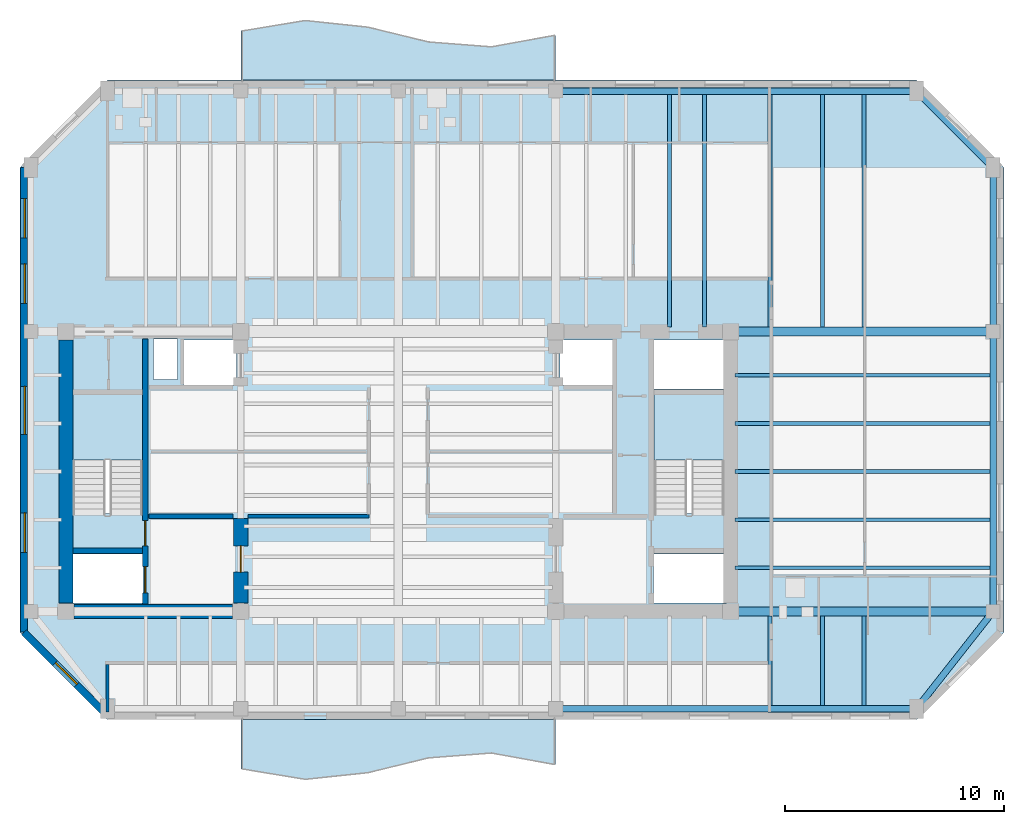
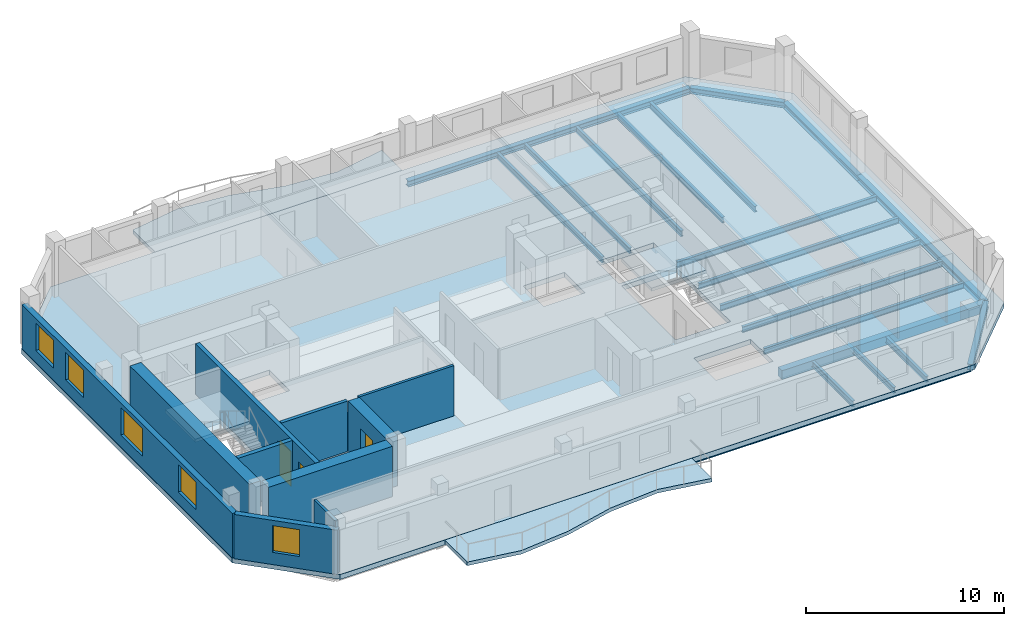
# One storey, part 2 of 9: 21 beams, 10 walls, 5 slabs, 5 windows, 3 doors, 8 openings, 2 elements without a shape of their own.
"""IFC4 building model written with IfcOpenShell, lengths in metres."""

from ifc_helpers import new_model, si_unit, direction, frame, frame_2d, origin, origin_2d, place, context, subcontext, project, spatial, polyline, rectangle, i_section, outline, extrude, material, layer, layer_set, material_profile, profile_set, type_object, element, fill, aggregate, save


model = new_model("IFC4")

# Units and contexts
model_context = context("Model", 3, precision=1e-05, world=origin(), true_north=direction((0.0, 1.0)))
body_context = subcontext(model_context, "Body", "Model", "MODEL_VIEW")
ifc_project = project(units=[si_unit("LENGTHUNIT", "METRE"), si_unit("AREAUNIT", "SQUARE_METRE"), si_unit("VOLUMEUNIT", "CUBIC_METRE"), si_unit("PLANEANGLEUNIT", "RADIAN"), si_unit("MASSUNIT", "GRAM", prefix="KILO")], contexts=[model_context])

# Site, building, storey
site_placement = place(None, origin())
site = spatial("IfcSite", under=ifc_project, at=site_placement, CompositionType="ELEMENT")
building_placement = place(site_placement, origin())
building = spatial("IfcBuilding", under=site, at=building_placement, Name="Kranthara Brick Stack", CompositionType="ELEMENT")
storey_placement = place(building_placement, frame((0.0, 0.0, 251.699951171875)))
storey = spatial("IfcBuildingStorey", under=building, at=storey_placement, Name="L66", CompositionType="ELEMENT", Elevation=251.699951171875)

# Beams
ifc_material_1 = material(Name="Post-tensioned concrete C45/55", Category="concrete")
ifc_material_profile_1 = material_profile(ifc_material_1, rectangle(XDim=0.39990234375, YDim=0.550048828125, at=origin_2d()), Name="PT 400x550")
ifc_profile_set_1 = profile_set([ifc_material_profile_1], Name="Post-tensioned concrete C45/55")
beam_type_1 = type_object("IfcBeamType", Name="BM-FLR-PT550", PredefinedType="BEAM", material=ifc_profile_set_1)
for number, where, z_axis, x_axis, name in (
    (1, (43.199951171875, 20.800048828125, -0.574951171875), (1.0, 0.0, 0.0), (0.0, 1.0, 0.0), "L66 Primary Grid Girder 029"),
    (2, (43.199951171875, 33.60009765625, -0.574951171875), (1.0, 0.0, 0.0), (0.0, 1.0, 0.0), "L66 Primary Grid Girder 031"),
):
    element("IfcBeam", number, at=place(storey_placement, frame(where, z_axis=z_axis, x_axis=x_axis)), inside=storey, type_object=beam_type_1, Name=name, PredefinedType="BEAM", context=body_context, shape_type="SweptSolid", body=[
        extrude(rectangle(XDim=0.39990234375, YDim=0.550048828125, at=origin_2d()), origin(), (0.0, 0.0, 1.0), 12.0),
    ])
ifc_material_2 = material(Name="Steel S355", Category="steel")
ifc_material_profile_2 = material_profile(ifc_material_2, i_section(OverallWidth=0.169921875, OverallDepth=0.360107421875, WebThickness=0.008056640625, FlangeThickness=0.0126953125, at=origin_2d()), Name="IPE 360")
ifc_profile_set_2 = profile_set([ifc_material_profile_2], Name="Steel S355")
beam_type_2 = type_object("IfcBeamType", Name="BM-JST-IPE360", PredefinedType="JOIST", material=ifc_profile_set_2)
for number, where, z_axis, x_axis, name in (
    (3, (40.39990234375, 33.800048828125, -0.47998046875), (0.0, 1.0, 0.0), (-1.0, 0.0, 0.0), "L66 North Wing Floor Joist 073"),
    (4, (42.0, 33.800048828125, -0.47998046875), (0.0, 1.0, 0.0), (-1.0, 0.0, 0.0), "L66 North Wing Floor Joist 075"),
):
    element("IfcBeam", number, at=place(storey_placement, frame(where, z_axis=z_axis, x_axis=x_axis)), inside=storey, type_object=beam_type_2, Name=name, PredefinedType="JOIST", context=body_context, shape_type="SweptSolid", body=[
        extrude(i_section(OverallWidth=0.169921875, OverallDepth=0.360107421875, WebThickness=0.008056640625, FlangeThickness=0.0126953125, at=origin_2d()), origin(), (0.0, 0.0, 1.0), 10.64990234375),
    ])
beam_1_placement = place(storey_placement, frame((45.0, 16.5, -0.47998046875), z_axis=(0.0, 1.0, 0.0), x_axis=(-1.0, 0.0, 0.0)))
element("IfcBeam", 5, at=beam_1_placement, inside=storey, type_object=beam_type_2, Name="L66 South Wing Floor Joist 076", PredefinedType="JOIST", context=body_context, shape_type="SweptSolid", body=[
    extrude(i_section(OverallWidth=0.169921875, OverallDepth=0.360107421875, WebThickness=0.008056640625, FlangeThickness=0.0126953125, at=origin_2d()), origin(), (0.0, 0.0, 1.0), 4.10009765625),
])
beam_2_placement = place(storey_placement, frame((45.0, 33.800048828125, -0.47998046875), z_axis=(0.0, 1.0, 0.0), x_axis=(-1.0, 0.0, 0.0)))
element("IfcBeam", 6, at=beam_2_placement, inside=storey, type_object=beam_type_2, Name="L66 North Wing Floor Joist 077", PredefinedType="JOIST", context=body_context, shape_type="SweptSolid", body=[
    extrude(i_section(OverallWidth=0.169921875, OverallDepth=0.360107421875, WebThickness=0.008056640625, FlangeThickness=0.0126953125, at=origin_2d()), origin(), (0.0, 0.0, 1.0), 10.64990234375),
])
beam_3_placement = place(storey_placement, frame((47.39990234375, 16.5, -0.47998046875), z_axis=(0.0, 1.0, 0.0), x_axis=(-1.0, 0.0, 0.0)))
element("IfcBeam", 7, at=beam_3_placement, inside=storey, type_object=beam_type_2, Name="L66 South Wing Floor Joist 078", PredefinedType="JOIST", context=body_context, shape_type="SweptSolid", body=[
    extrude(i_section(OverallWidth=0.169921875, OverallDepth=0.360107421875, WebThickness=0.008056640625, FlangeThickness=0.0126953125, at=origin_2d()), origin(), (0.0, 0.0, 1.0), 4.10009765625),
])
beam_4_placement = place(storey_placement, frame((47.39990234375, 33.800048828125, -0.47998046875), z_axis=(0.0, 1.0, 0.0), x_axis=(-1.0, 0.0, 0.0)))
element("IfcBeam", 8, at=beam_4_placement, inside=storey, type_object=beam_type_2, Name="L66 North Wing Floor Joist 079", PredefinedType="JOIST", context=body_context, shape_type="SweptSolid", body=[
    extrude(i_section(OverallWidth=0.169921875, OverallDepth=0.360107421875, WebThickness=0.008056640625, FlangeThickness=0.0126953125, at=origin_2d()), origin(), (0.0, 0.0, 1.0), 10.64990234375),
])
beam_5_placement = place(storey_placement, frame((49.300048828125, 16.5, -0.47998046875), z_axis=(0.0, 1.0, 0.0), x_axis=(-1.0, 0.0, 0.0)))
element("IfcBeam", 9, at=beam_5_placement, inside=storey, type_object=beam_type_2, Name="L66 South Wing Floor Joist 080", PredefinedType="JOIST", context=body_context, shape_type="SweptSolid", body=[
    extrude(i_section(OverallWidth=0.169921875, OverallDepth=0.360107421875, WebThickness=0.008056640625, FlangeThickness=0.0126953125, at=origin_2d()), origin(), (0.0, 0.0, 1.0), 4.10009765625),
])
beam_6_placement = place(storey_placement, frame((49.300048828125, 33.800048828125, -0.47998046875), z_axis=(0.0, 1.0, 0.0), x_axis=(-1.0, 0.0, 0.0)))
element("IfcBeam", 10, at=beam_6_placement, inside=storey, type_object=beam_type_2, Name="L66 North Wing Floor Joist 081", PredefinedType="JOIST", context=body_context, shape_type="SweptSolid", body=[
    extrude(i_section(OverallWidth=0.169921875, OverallDepth=0.360107421875, WebThickness=0.008056640625, FlangeThickness=0.0126953125, at=origin_2d()), origin(), (0.0, 0.0, 1.0), 10.64990234375),
])
for number, where, z_axis, x_axis, name in (
    (11, (43.39990234375, 22.800048828125, -0.47998046875), (1.0, 0.0, 0.0), (0.0, 1.0, 0.0), "L66 East Wing Floor Joist 083"),
    (12, (43.39990234375, 25.0, -0.47998046875), (1.0, 0.0, 0.0), (0.0, 1.0, 0.0), "L66 East Wing Floor Joist 085"),
    (13, (43.39990234375, 27.199951171875, -0.47998046875), (1.0, 0.0, 0.0), (0.0, 1.0, 0.0), "L66 East Wing Floor Joist 087"),
    (14, (43.39990234375, 29.39990234375, -0.47998046875), (1.0, 0.0, 0.0), (0.0, 1.0, 0.0), "L66 East Wing Floor Joist 089"),
    (15, (43.39990234375, 31.60009765625, -0.47998046875), (1.0, 0.0, 0.0), (0.0, 1.0, 0.0), "L66 East Wing Floor Joist 091"),
):
    element("IfcBeam", number, at=place(storey_placement, frame(where, z_axis=z_axis, x_axis=x_axis)), inside=storey, type_object=beam_type_2, Name=name, PredefinedType="JOIST", context=body_context, shape_type="SweptSolid", body=[
        extrude(i_section(OverallWidth=0.169921875, OverallDepth=0.360107421875, WebThickness=0.008056640625, FlangeThickness=0.0126953125, at=origin_2d()), origin(), (0.0, 0.0, 1.0), 11.650146484375),
    ])
ifc_material_3 = material(Name="Steel S355", Category="steel")
ifc_material_profile_3 = material_profile(ifc_material_3, i_section(OverallWidth=0.300048828125, OverallDepth=0.360107421875, WebThickness=0.012451171875, FlangeThickness=0.0224609375, at=origin_2d()), Name="HEB 360")
ifc_profile_set_3 = profile_set([ifc_material_profile_3], Name="Steel S355")
beam_type_3 = type_object("IfcBeamType", Name="BM-STL-HEB360", PredefinedType="SPANDREL", material=ifc_profile_set_3)
for number, where, z_axis, x_axis, name in (
    (16, (35.199951171875, 16.35009765625, -0.47998046875), (1.0, 0.0, 0.0), (0.0, 1.0, 0.0), "L66 Perimeter Spandrel Beam 008"),
    (17, (35.199951171875, 44.60009765625, -0.47998046875), (1.0, 0.0, 0.0), (0.0, 1.0, 0.0), "L66 Perimeter Spandrel Beam 012"),
):
    element("IfcBeam", number, at=place(storey_placement, frame(where, z_axis=z_axis, x_axis=x_axis)), inside=storey, type_object=beam_type_3, Name=name, PredefinedType="SPANDREL", context=body_context, shape_type="SweptSolid", body=[
        extrude(i_section(OverallWidth=0.300048828125, OverallDepth=0.360107421875, WebThickness=0.012451171875, FlangeThickness=0.0224609375, at=origin_2d()), origin(), (0.0, 0.0, 1.0), 16.5),
    ])
beam_7_placement = place(storey_placement, frame((55.199951171875, 20.800048828125, -0.47998046875), z_axis=(0.0, 1.0, 0.0), x_axis=(-1.0, 0.0, 0.0)))
element("IfcBeam", 18, at=beam_7_placement, inside=storey, type_object=beam_type_3, Name="L66 Perimeter Spandrel Beam 015", PredefinedType="SPANDREL", context=body_context, shape_type="SweptSolid", body=[
    extrude(i_section(OverallWidth=0.300048828125, OverallDepth=0.360107421875, WebThickness=0.012451171875, FlangeThickness=0.0224609375, at=origin_2d()), origin(), (0.0, 0.0, 1.0), 12.800048828125),
])
beam_8_placement = place(storey_placement, frame((55.199951171875, 33.60009765625, -0.47998046875), z_axis=(0.0, 1.0, 0.0), x_axis=(-1.0, 0.0, 0.0)))
element("IfcBeam", 19, at=beam_8_placement, inside=storey, type_object=beam_type_3, Name="L66 Perimeter Spandrel Beam 016", PredefinedType="SPANDREL", context=body_context, shape_type="SweptSolid", body=[
    extrude(i_section(OverallWidth=0.300048828125, OverallDepth=0.360107421875, WebThickness=0.012451171875, FlangeThickness=0.0224609375, at=origin_2d()), origin(), (0.0, 0.0, 1.0), 7.5),
])
beam_9_placement = place(storey_placement, frame((51.699951171875, 16.35009765625, -0.47998046875), z_axis=(0.618215705636, 0.78600848679, 0.0), x_axis=(-0.78600848679, 0.618215705636, 0.0)))
element("IfcBeam", 20, at=beam_9_placement, inside=storey, type_object=beam_type_3, Name="L66 Chamfer Corner Spandrel 018", PredefinedType="SPANDREL", context=body_context, shape_type="SweptSolid", body=[
    extrude(i_section(OverallWidth=0.300048828125, OverallDepth=0.360107421875, WebThickness=0.012451171875, FlangeThickness=0.0224609375, at=origin_2d()), origin(), (0.0, 0.0, 1.0), 5.661376953125),
])
beam_10_placement = place(storey_placement, frame((51.699951171875, 44.60009765625, -0.47998046875), z_axis=(0.707106781187, -0.707106781187, 0.0), x_axis=(0.707106781187, 0.707106781187, 0.0)))
element("IfcBeam", 21, at=beam_10_placement, inside=storey, type_object=beam_type_3, Name="L66 Chamfer Corner Spandrel 020", PredefinedType="SPANDREL", context=body_context, shape_type="SweptSolid", body=[
    extrude(i_section(OverallWidth=0.300048828125, OverallDepth=0.360107421875, WebThickness=0.012451171875, FlangeThickness=0.0224609375, at=origin_2d()), origin(), (0.0, 0.0, 1.0), 4.94970703125),
])

# Slabs
ifc_material_4 = material(Name="Concrete C45/55", Category="concrete")
ifc_layer_1 = layer(ifc_material_4, 0.219970703125)
ifc_layer_set_1 = layer_set([ifc_layer_1], Name="Concrete C45/55")
slab_type_1 = type_object("IfcSlabType", Name="SLB-BALC-220", PredefinedType="FLOOR", material=ifc_layer_set_1)
slab_1_placement = place(storey_placement, frame((0.0, 0.0, -0.219970703125)))
element("IfcSlab", 22, at=slab_1_placement, inside=storey, type_object=slab_type_1, Name="L66 South Rippling Balcony Slab", PredefinedType="FLOOR", context=body_context, shape_type="SweptSolid", body=[
    extrude(outline(polyline([(20.800048828125, 15.85009765625), (35.199951171875, 15.85009765625), (35.199951171875, 13.800537109375), (32.320068359375, 14.3291015625), (29.43994140625, 14.097900390625), (26.56005859375, 13.397705078125), (23.679931640625, 13.109130859375), (20.800048828125, 13.594970703125), (20.800048828125, 15.85009765625)])), origin(), (0.0, 0.0, 1.0), 0.219970703125),
])
slab_2_placement = place(storey_placement, frame((0.0, 0.0, -0.219970703125)))
element("IfcSlab", 23, at=slab_2_placement, inside=storey, type_object=slab_type_1, Name="L66 North Rippling Balcony Slab", PredefinedType="FLOOR", context=body_context, shape_type="SweptSolid", body=[
    extrude(outline(polyline([(35.199951171875, 45.10009765625), (20.800048828125, 45.10009765625), (20.800048828125, 47.35498046875), (23.679931640625, 47.8408203125), (26.56005859375, 47.55224609375), (29.43994140625, 46.85205078125), (32.320068359375, 46.620849609375), (35.199951171875, 47.1494140625), (35.199951171875, 45.10009765625)])), origin(), (0.0, 0.0, 1.0), 0.219970703125),
])

# Stair, slab
ifc_material_5 = material(Name="Concrete C45/55", Category="concrete")
stair_type = type_object("IfcStairType", Name="ST-CORE-20R", PredefinedType="HALF_TURN_STAIR", material=ifc_material_5)
stair_1_placement = place(storey_placement, origin())
stair_1 = element("IfcStair", 24, at=stair_1_placement, inside=storey, type_object=stair_type, Name="L66 West Core Protected Exit Stair ST01", PredefinedType="HALF_TURN_STAIR")
ifc_material_6 = material(Name="Concrete C45/55", Category="concrete")
ifc_layer_2 = layer(ifc_material_6, 0.199951171875)
ifc_layer_set_2 = layer_set([ifc_layer_2], Name="Concrete C45/55")
slab_type_2 = type_object("IfcSlabType", Name="SLB-LANDING-200", PredefinedType="LANDING", material=ifc_layer_set_2)
slab_3_placement = place(storey_placement, frame((0.0, 0.0, 1.5)))
slab_3 = element("IfcSlab", 25, at=slab_3_placement, type_object=slab_type_2, Name="ST01 landing 1", PredefinedType="LANDING", context=body_context, shape_type="SweptSolid", body=[
    extrude(outline(polyline([(16.300048828125, 27.719970703125), (16.300048828125, 30.75), (13.10009765625, 30.75), (13.10009765625, 27.719970703125), (16.300048828125, 27.719970703125)])), origin(), (0.0, 0.0, 1.0), 0.199951171875),
])
aggregate(stair_1, [slab_3])

stair_2_placement = place(storey_placement, origin())
stair_2 = element("IfcStair", 26, at=stair_2_placement, inside=storey, type_object=stair_type, Name="L66 East Core Protected Exit Stair ST02", PredefinedType="HALF_TURN_STAIR")
slab_4_placement = place(storey_placement, frame((0.0, 0.0, 1.5)))
slab_4 = element("IfcSlab", 27, at=slab_4_placement, type_object=slab_type_2, Name="ST02 landing 1", PredefinedType="LANDING", context=body_context, shape_type="SweptSolid", body=[
    extrude(outline(polyline([(42.89990234375, 27.719970703125), (42.89990234375, 30.75), (39.699951171875, 30.75), (39.699951171875, 27.719970703125), (42.89990234375, 27.719970703125)])), origin(), (0.0, 0.0, 1.0), 0.199951171875),
])
aggregate(stair_2, [slab_4])

# Slab
ifc_material_7 = material(Name="Post-tensioned concrete C45/55", Category="concrete")
ifc_layer_3 = layer(ifc_material_7, 0.300048828125)
ifc_layer_set_3 = layer_set([ifc_layer_3], Name="Post-tensioned concrete C45/55")
slab_type_3 = type_object("IfcSlabType", Name="SLB-TWR-300", PredefinedType="FLOOR", material=ifc_layer_set_3)
slab_5_placement = place(storey_placement, frame((0.0, 0.0, -0.300048828125)))
element("IfcSlab", 28, at=slab_5_placement, inside=storey, type_object=slab_type_3, Name="L66 Structural Floor Plate", PredefinedType="FLOOR", context=body_context, shape_type="SweptSolid", body=[
    extrude(outline(polyline([(14.699951171875, 15.85009765625), (51.699951171875, 15.85009765625), (55.699951171875, 19.85009765625), (55.699951171875, 41.10009765625), (51.699951171875, 45.10009765625), (14.699951171875, 45.10009765625), (10.699951171875, 41.10009765625), (10.699951171875, 19.85009765625), (14.699951171875, 15.85009765625)]), holes=[polyline([(13.10009765625, 25.280029296875), (16.300048828125, 25.280029296875), (16.300048828125, 30.75), (13.10009765625, 30.75), (13.10009765625, 25.280029296875)]), polyline([(39.699951171875, 25.280029296875), (42.89990234375, 25.280029296875), (42.89990234375, 30.75), (39.699951171875, 30.75), (39.699951171875, 25.280029296875)]), polyline([(13.0, 21.179931640625), (16.320068359375, 21.179931640625), (16.320068359375, 23.419921875), (13.0, 23.419921875), (13.0, 21.179931640625)]), polyline([(39.679931640625, 21.179931640625), (43.0, 21.179931640625), (43.0, 23.419921875), (39.679931640625, 23.419921875), (39.679931640625, 21.179931640625)]), polyline([(39.679931640625, 30.97998046875), (43.0, 30.97998046875), (43.0, 33.219970703125), (39.679931640625, 33.219970703125), (39.679931640625, 30.97998046875)]), polyline([(18.199951171875, 31.14990234375), (20.60009765625, 31.14990234375), (20.60009765625, 33.219970703125), (18.199951171875, 33.219970703125), (18.199951171875, 31.14990234375)]), polyline([(35.39990234375, 31.14990234375), (37.800048828125, 31.14990234375), (37.800048828125, 33.219970703125), (35.39990234375, 33.219970703125), (35.39990234375, 31.14990234375)]), polyline([(16.800048828125, 31.39990234375), (17.89990234375, 31.39990234375), (17.89990234375, 33.25), (16.800048828125, 33.25), (16.800048828125, 31.39990234375)])]), origin(), (0.0, 0.0, 1.0), 0.300048828125),
])

# Wall, opening, window
ifc_material_8 = material(Name="Warm buff clay brick masonry M15", Category="masonry")
ifc_layer_4 = layer(ifc_material_8, 0.320068359375)
ifc_layer_set_4 = layer_set([ifc_layer_4], Name="Warm buff clay brick masonry M15")
wall_type_1 = type_object("IfcWallType", Name="WL-BRK-UPPR-320", PredefinedType="STANDARD", material=ifc_layer_set_4)
wall_1_placement = place(storey_placement, frame((14.699951171875, 16.030029296875, 0.0), z_axis=(0.0, 0.0, 1.0), x_axis=(-0.707106781187, 0.707106781187, 0.0)))
wall_1 = element("IfcWall", 29, at=wall_1_placement, inside=storey, type_object=wall_type_1, Name="L66 Exterior Brick Facade Wall SW 1", PredefinedType="STANDARD", context=body_context, shape_type="SweptSolid", body=[
    extrude(rectangle(XDim=5.40234375, YDim=0.320068359375, at=frame_2d((2.701171875, 0.0))), origin(), (0.0, 0.0, 1.0), 2.72509765625),
])
opening_1_placement = place(wall_1_placement, frame((2.0009765625, 0.0, 0.75)))
opening_1 = element("IfcOpeningElement", 30, at=opening_1_placement, cuts=wall_1, Name="Opening WN10", PredefinedType="OPENING", context=body_context, shape_type="SweptSolid", body=[
    extrude(rectangle(XDim=1.39990234375, YDim=1.64990234375, at=frame_2d((0.699951171875, 0.824951171875))), frame((0.0, 0.169921875, 0.0), z_axis=(0.0, -1.0, 0.0), x_axis=(1.0, 0.0, 0.0)), (0.0, 0.0, 1.0), 0.340087890625),
])
ifc_material_9 = material(Name="Double-glazed low-E solar control glass", Category="glass")
window_type_1 = type_object("IfcWindowType", Name="WN-CHM-1400x1750", PartitioningType="SINGLE_PANEL", PredefinedType="WINDOW", material=ifc_material_9)
window_1_placement = place(opening_1_placement, origin())
window_1 = element("IfcWindow", 31, at=window_1_placement, inside=storey, type_object=window_type_1, Name="L66 SW Chamfer Corner Window", OverallHeight=1.64990234375, OverallWidth=1.39990234375, PartitioningType="SINGLE_PANEL", PredefinedType="WINDOW", context=body_context, shape_type="SweptSolid", body=[
    extrude(rectangle(XDim=1.39990234375, YDim=1.64990234375, at=frame_2d((0.699951171875, 0.824951171875))), frame((0.0, -0.010009765625, 0.0), z_axis=(0.0, -1.0, 0.0), x_axis=(1.0, 0.0, 0.0)), (0.0, 0.0, 1.0), 0.06005859375),
])
fill(opening_1, window_1)

# Wall, openings, windows
wall_2_placement = place(storey_placement, frame((10.8798828125, 19.85009765625, 0.0), z_axis=(0.0, 0.0, 1.0), x_axis=(0.0, 1.0, 0.0)))
wall_2 = element("IfcWall", 32, at=wall_2_placement, inside=storey, type_object=wall_type_1, Name="L66 Exterior Brick Facade Wall WEST 1", PredefinedType="STANDARD", context=body_context, shape_type="SweptSolid", body=[
    extrude(rectangle(XDim=21.25, YDim=0.320068359375, at=frame_2d((10.625, 0.0))), origin(), (0.0, 0.0, 1.0), 2.72509765625),
])
opening_2_placement = place(wall_2_placement, frame((3.654052734375, 0.0, 0.75)))
opening_2 = element("IfcOpeningElement", 33, at=opening_2_placement, cuts=wall_2, Name="Opening WN07", PredefinedType="OPENING", context=body_context, shape_type="SweptSolid", body=[
    extrude(rectangle(XDim=1.800048828125, YDim=1.699951171875, at=frame_2d((0.89990234375, 0.85009765625))), frame((0.0, 0.169921875, 0.0), z_axis=(0.0, -1.0, 0.0), x_axis=(1.0, 0.0, 0.0)), (0.0, 0.0, 1.0), 0.340087890625),
])
opening_3_placement = place(wall_2_placement, frame((9.0458984375, 0.0, 0.75)))
opening_3 = element("IfcOpeningElement", 34, at=opening_3_placement, cuts=wall_2, Name="Opening WN08", PredefinedType="OPENING", context=body_context, shape_type="SweptSolid", body=[
    extrude(rectangle(XDim=2.199951171875, YDim=1.699951171875, at=frame_2d((1.10009765625, 0.85009765625))), frame((0.0, 0.169921875, 0.0), z_axis=(0.0, -1.0, 0.0), x_axis=(1.0, 0.0, 0.0)), (0.0, 0.0, 1.0), 0.340087890625),
])
opening_4_placement = place(wall_2_placement, frame((15.04296875, 0.0, 0.75)))
opening_4 = element("IfcOpeningElement", 35, at=opening_4_placement, cuts=wall_2, Name="Opening WN07", PredefinedType="OPENING", context=body_context, shape_type="SweptSolid", body=[
    extrude(rectangle(XDim=1.800048828125, YDim=1.699951171875, at=frame_2d((0.89990234375, 0.85009765625))), frame((0.0, 0.169921875, 0.0), z_axis=(0.0, -1.0, 0.0), x_axis=(1.0, 0.0, 0.0)), (0.0, 0.0, 1.0), 0.340087890625),
])
opening_5_placement = place(wall_2_placement, frame((18.031982421875, 0.0, 0.75)))
opening_5 = element("IfcOpeningElement", 36, at=opening_5_placement, cuts=wall_2, Name="Opening WN07", PredefinedType="OPENING", context=body_context, shape_type="SweptSolid", body=[
    extrude(rectangle(XDim=1.800048828125, YDim=1.699951171875, at=frame_2d((0.89990234375, 0.85009765625))), frame((0.0, 0.169921875, 0.0), z_axis=(0.0, -1.0, 0.0), x_axis=(1.0, 0.0, 0.0)), (0.0, 0.0, 1.0), 0.340087890625),
])
ifc_material_10 = material(Name="Double-glazed low-E solar control glass", Category="glass")
window_type_2 = type_object("IfcWindowType", Name="WN-RES-1800x1850", PartitioningType="DOUBLE_PANEL_VERTICAL", PredefinedType="WINDOW", material=ifc_material_10)
window_2_placement = place(opening_2_placement, origin())
window_2 = element("IfcWindow", 37, at=window_2_placement, inside=storey, type_object=window_type_2, Name="L66 West Deep-Set Brick Window 01", OverallHeight=1.699951171875, OverallWidth=1.800048828125, PartitioningType="SINGLE_PANEL", PredefinedType="WINDOW", context=body_context, shape_type="SweptSolid", body=[
    extrude(rectangle(XDim=1.800048828125, YDim=1.699951171875, at=frame_2d((0.89990234375, 0.85009765625))), frame((0.0, -0.010009765625, 0.0), z_axis=(0.0, -1.0, 0.0), x_axis=(1.0, 0.0, 0.0)), (0.0, 0.0, 1.0), 0.06005859375),
])
fill(opening_2, window_2)
window_3_placement = place(opening_4_placement, origin())
window_3 = element("IfcWindow", 38, at=window_3_placement, inside=storey, type_object=window_type_2, Name="L66 West Deep-Set Brick Window 03", OverallHeight=1.699951171875, OverallWidth=1.800048828125, PartitioningType="SINGLE_PANEL", PredefinedType="WINDOW", context=body_context, shape_type="SweptSolid", body=[
    extrude(rectangle(XDim=1.800048828125, YDim=1.699951171875, at=frame_2d((0.89990234375, 0.85009765625))), frame((0.0, -0.010009765625, 0.0), z_axis=(0.0, -1.0, 0.0), x_axis=(1.0, 0.0, 0.0)), (0.0, 0.0, 1.0), 0.06005859375),
])
fill(opening_4, window_3)
window_4_placement = place(opening_5_placement, origin())
window_4 = element("IfcWindow", 39, at=window_4_placement, inside=storey, type_object=window_type_2, Name="L66 West Deep-Set Brick Window 04", OverallHeight=1.699951171875, OverallWidth=1.800048828125, PartitioningType="SINGLE_PANEL", PredefinedType="WINDOW", context=body_context, shape_type="SweptSolid", body=[
    extrude(rectangle(XDim=1.800048828125, YDim=1.699951171875, at=frame_2d((0.89990234375, 0.85009765625))), frame((0.0, -0.010009765625, 0.0), z_axis=(0.0, -1.0, 0.0), x_axis=(1.0, 0.0, 0.0)), (0.0, 0.0, 1.0), 0.06005859375),
])
fill(opening_5, window_4)
ifc_material_11 = material(Name="Double-glazed low-E solar control glass", Category="glass")
window_type_3 = type_object("IfcWindowType", Name="WN-RES-2200x1850", PartitioningType="TRIPLE_PANEL_VERTICAL", PredefinedType="WINDOW", material=ifc_material_11)
window_5_placement = place(opening_3_placement, origin())
window_5 = element("IfcWindow", 40, at=window_5_placement, inside=storey, type_object=window_type_3, Name="L66 West Deep-Set Brick Window 02", OverallHeight=1.699951171875, OverallWidth=2.199951171875, PartitioningType="SINGLE_PANEL", PredefinedType="WINDOW", context=body_context, shape_type="SweptSolid", body=[
    extrude(rectangle(XDim=2.199951171875, YDim=1.699951171875, at=frame_2d((1.10009765625, 0.85009765625))), frame((0.0, -0.010009765625, 0.0), z_axis=(0.0, -1.0, 0.0), x_axis=(1.0, 0.0, 0.0)), (0.0, 0.0, 1.0), 0.06005859375),
])
fill(opening_3, window_5)

# Wall, openings, doors
ifc_material_12 = material(Name="Concrete C50/60", Category="concrete")
ifc_layer_5 = layer(ifc_material_12, 0.25)
ifc_layer_set_5 = layer_set([ifc_layer_5], Name="Concrete C50/60")
wall_type_2 = type_object("IfcWallType", Name="WL-CORE-250", PredefinedType="SHEAR", material=ifc_layer_set_5)
wall_3_placement = place(storey_placement, frame((16.43505859375, 21.135009765625, 0.0), z_axis=(0.0, 0.0, 1.0), x_axis=(0.0, 1.0, 0.0)))
wall_3 = element("IfcWall", 41, at=wall_3_placement, inside=storey, type_object=wall_type_2, Name="L66 West Core Stair Bearing Spine Wall", PredefinedType="SHEAR", context=body_context, shape_type="SweptSolid", body=[
    extrude(rectangle(XDim=12.1298828125, YDim=0.25, at=frame_2d((6.06494140625, 0.0))), origin(), (0.0, 0.0, 1.0), 3.10009765625),
])
opening_6_placement = place(wall_3_placement, frame((0.514892578125, 0.0, 0.0)))
opening_6 = element("IfcOpeningElement", 42, at=opening_6_placement, cuts=wall_3, Name="Opening LD01", PredefinedType="OPENING", context=body_context, shape_type="SweptSolid", body=[
    extrude(rectangle(XDim=1.199951171875, YDim=2.14990234375, at=frame_2d((0.60009765625, 1.074951171875))), frame((0.0, 0.135009765625, 0.0), z_axis=(0.0, -1.0, 0.0), x_axis=(1.0, 0.0, 0.0)), (0.0, 0.0, 1.0), 0.27001953125),
])
opening_7_placement = place(wall_3_placement, frame((2.6650390625, 0.0, 0.0)))
opening_7 = element("IfcOpeningElement", 43, at=opening_7_placement, cuts=wall_3, Name="Opening D05", PredefinedType="OPENING", context=body_context, shape_type="SweptSolid", body=[
    extrude(rectangle(XDim=1.14990234375, YDim=2.14990234375, at=frame_2d((0.574951171875, 1.074951171875))), frame((0.0, 0.135009765625, 0.0), z_axis=(0.0, -1.0, 0.0), x_axis=(1.0, 0.0, 0.0)), (0.0, 0.0, 1.0), 0.27001953125),
])
ifc_material_13 = material(Name="Stainless steel sliding landing door", Category="steel")
door_type_1 = type_object("IfcDoorType", Name="DR-LD-FF1200", OperationType="DOUBLE_DOOR_SLIDING", PredefinedType="DOOR", material=ifc_material_13)
door_1_placement = place(opening_6_placement, origin())
door_1 = element("IfcDoor", 44, at=door_1_placement, inside=storey, type_object=door_type_1, Name="L66 Firefighting Lift FF-01 Landing Door", OperationType="DOUBLE_DOOR_SLIDING", OverallHeight=2.14990234375, OverallWidth=1.199951171875, PredefinedType="DOOR", context=body_context, shape_type="SweptSolid", body=[
    extrude(rectangle(XDim=1.199951171875, YDim=2.14990234375, at=frame_2d((0.60009765625, 1.074951171875))), frame((0.0, 0.02490234375, 0.0), z_axis=(0.0, -1.0, 0.0), x_axis=(1.0, 0.0, 0.0)), (0.0, 0.0, 1.0), 0.050048828125),
])
fill(opening_6, door_1)
ifc_material_14 = material(Name="Solid-core hardwood timber leaf in steel frame", Category="steel")
door_type_2 = type_object("IfcDoorType", Name="DR-ST-1150", OperationType="NOTDEFINED", PredefinedType="DOOR", material=ifc_material_14)
door_2_placement = place(opening_7_placement, origin())
door_2 = element("IfcDoor", 45, at=door_2_placement, inside=storey, type_object=door_type_2, Name="L66 Exit Stair ST01 Door", OperationType="SINGLE_SWING_RIGHT", OverallHeight=2.14990234375, OverallWidth=1.14990234375, PredefinedType="DOOR", context=body_context, shape_type="SweptSolid", body=[
    extrude(rectangle(XDim=1.14990234375, YDim=2.14990234375, at=frame_2d((0.574951171875, 1.074951171875))), frame((0.0, 0.02490234375, 0.0), z_axis=(0.0, -1.0, 0.0), x_axis=(1.0, 0.0, 0.0)), (0.0, 0.0, 1.0), 0.050048828125),
])
fill(opening_7, door_2)

# Walls
wall_4_placement = place(storey_placement, frame((13.135009765625, 23.570068359375, 0.0), z_axis=(0.0, 0.0, 1.0), x_axis=(1.0, 0.0, 0.0)))
element("IfcWall", 46, at=wall_4_placement, inside=storey, type_object=wall_type_2, Name="L66 West Stairwell Bearing Wall WFF", PredefinedType="SHEAR", context=body_context, shape_type="SweptSolid", body=[
    extrude(rectangle(XDim=3.175048828125, YDim=0.25, at=frame_2d((1.58740234375, 0.0))), origin(), (0.0, 0.0, 1.0), 3.10009765625),
])
ifc_material_15 = material(Name="Concrete C60/75", Category="concrete")
ifc_layer_6 = layer(ifc_material_15, 0.64990234375)
ifc_layer_set_6 = layer_set([ifc_layer_6], Name="Concrete C60/75")
wall_type_3 = type_object("IfcWallType", Name="WL-CORE-650", PredefinedType="SHEAR", material=ifc_layer_set_6)
wall_5_placement = place(storey_placement, frame((12.800048828125, 21.179931640625, 0.0), z_axis=(0.0, 0.0, 1.0), x_axis=(0.0, 1.0, 0.0)))
element("IfcWall", 47, at=wall_5_placement, inside=storey, type_object=wall_type_3, Name="L66 West Core Shear Wall West", PredefinedType="SHEAR", context=body_context, shape_type="SweptSolid", body=[
    extrude(rectangle(XDim=12.0400390625, YDim=0.64990234375, at=frame_2d((6.02001953125, 0.0))), origin(), (0.0, 0.0, 1.0), 3.10009765625),
])
wall_6_placement = place(storey_placement, frame((13.179931640625, 20.800048828125, 0.0), z_axis=(0.0, 0.0, 1.0), x_axis=(1.0, 0.0, 0.0)))
element("IfcWall", 48, at=wall_6_placement, inside=storey, type_object=wall_type_3, Name="L66 West Core Shear Wall South", PredefinedType="SHEAR", context=body_context, shape_type="SweptSolid", body=[
    extrude(rectangle(XDim=7.239990234375, YDim=0.64990234375, at=frame_2d((3.6201171875, 0.0))), origin(), (0.0, 0.0, 1.0), 3.10009765625),
])

# Wall, opening, door
wall_7_placement = place(storey_placement, frame((20.800048828125, 21.179931640625, 0.0), z_axis=(0.0, 0.0, 1.0), x_axis=(0.0, 1.0, 0.0)))
wall_7 = element("IfcWall", 49, at=wall_7_placement, inside=storey, type_object=wall_type_3, Name="L66 West Core Lobby Shear Wall", PredefinedType="SHEAR", context=body_context, shape_type="SweptSolid", body=[
    extrude(rectangle(XDim=3.8701171875, YDim=0.64990234375, at=frame_2d((1.93505859375, 0.0))), origin(), (0.0, 0.0, 1.0), 3.10009765625),
])
opening_8_placement = place(wall_7_placement, frame((1.419921875, 0.0, 0.0)))
opening_8 = element("IfcOpeningElement", 50, at=opening_8_placement, cuts=wall_7, Name="Opening D06", PredefinedType="OPENING", context=body_context, shape_type="SweptSolid", body=[
    extrude(rectangle(XDim=1.199951171875, YDim=2.14990234375, at=frame_2d((0.60009765625, 1.074951171875))), frame((0.0, 0.3349609375, 0.0), z_axis=(0.0, -1.0, 0.0), x_axis=(1.0, 0.0, 0.0)), (0.0, 0.0, 1.0), 0.669921875),
])
ifc_material_16 = material(Name="Solid-core hardwood timber leaf in steel frame", Category="steel")
door_type_3 = type_object("IfcDoorType", Name="DR-FFL-1200", OperationType="NOTDEFINED", PredefinedType="DOOR", material=ifc_material_16)
door_3_placement = place(opening_8_placement, origin())
door_3 = element("IfcDoor", 51, at=door_3_placement, inside=storey, type_object=door_type_3, Name="L66 West Firefighting Lobby Door", OperationType="SINGLE_SWING_LEFT", OverallHeight=2.14990234375, OverallWidth=1.199951171875, PredefinedType="DOOR", context=body_context, shape_type="SweptSolid", body=[
    extrude(rectangle(XDim=1.199951171875, YDim=2.14990234375, at=frame_2d((0.60009765625, 1.074951171875))), frame((0.0, 0.02490234375, 0.0), z_axis=(0.0, -1.0, 0.0), x_axis=(1.0, 0.0, 0.0)), (0.0, 0.0, 1.0), 0.050048828125),
])
fill(opening_8, door_3)

# Walls
ifc_material_17 = material(Name="Fire-rated gypsum board partition", Category="other")
ifc_layer_7 = layer(ifc_material_17, 0.14990234375)
ifc_layer_set_7 = layer_set([ifc_layer_7], Name="Fire-rated gypsum board partition")
wall_type_4 = type_object("IfcWallType", Name="WL-PART-150", PredefinedType="PARTITIONING", material=ifc_layer_set_7)
wall_8_placement = place(storey_placement, frame((21.1298828125, 25.14990234375, 0.0), z_axis=(0.0, 0.0, 1.0), x_axis=(1.0, 0.0, 0.0)))
element("IfcWall", 52, at=wall_8_placement, inside=storey, type_object=wall_type_4, Name="L66 Interior Partition 004", PredefinedType="PARTITIONING", context=body_context, shape_type="SweptSolid", body=[
    extrude(rectangle(XDim=5.52001953125, YDim=0.14990234375, at=frame_2d((2.760009765625, 0.0))), origin(), (0.0, 0.0, 1.0), 3.10009765625),
])
wall_9_placement = place(storey_placement, frame((14.699951171875, 16.195068359375, 0.0), z_axis=(0.0, 0.0, 1.0), x_axis=(0.0, 1.0, 0.0)))
element("IfcWall", 53, at=wall_9_placement, inside=storey, type_object=wall_type_4, Name="L66 Interior Partition 011", PredefinedType="PARTITIONING", context=body_context, shape_type="SweptSolid", body=[
    extrude(rectangle(XDim=2.184814453125, YDim=0.14990234375, at=frame_2d((1.09228515625, 0.0))), origin(), (0.0, 0.0, 1.0), 3.10009765625),
])
ifc_material_18 = material(Name="Concrete C40/50", Category="concrete")
ifc_layer_8 = layer(ifc_material_18, 0.199951171875)
ifc_layer_set_8 = layer_set([ifc_layer_8], Name="Concrete C40/50")
wall_type_5 = type_object("IfcWallType", Name="WL-PART-200", PredefinedType="SOLIDWALL", material=ifc_layer_set_8)
wall_10_placement = place(storey_placement, frame((16.60009765625, 25.14990234375, 0.0), z_axis=(0.0, 0.0, 1.0), x_axis=(1.0, 0.0, 0.0)))
element("IfcWall", 54, at=wall_10_placement, inside=storey, type_object=wall_type_5, Name="L66 West Core Cross Wall WFL", PredefinedType="SOLIDWALL", context=body_context, shape_type="SweptSolid", body=[
    extrude(rectangle(XDim=3.849853515625, YDim=0.199951171875, at=frame_2d((1.9248046875, 0.0))), origin(), (0.0, 0.0, 1.0), 3.10009765625),
])

save(model, "model.ifc")
